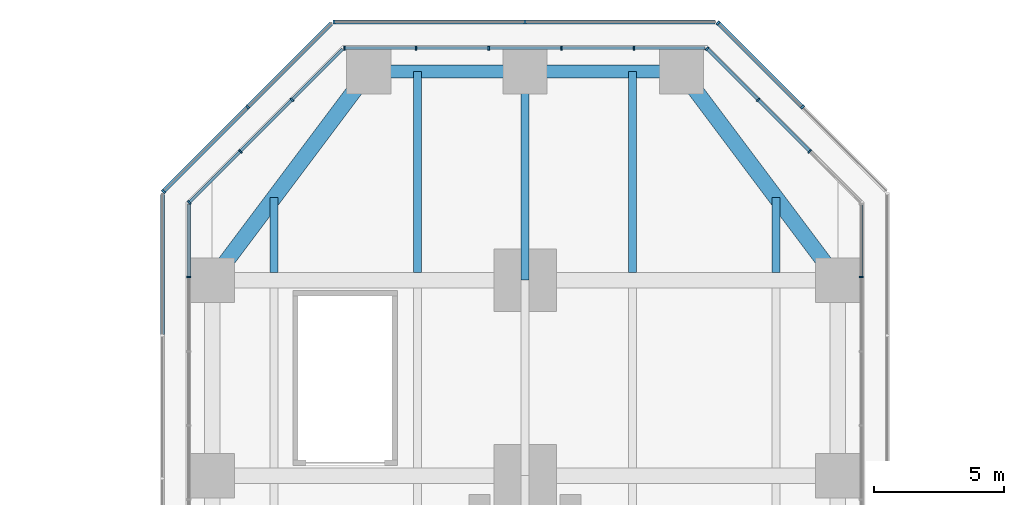
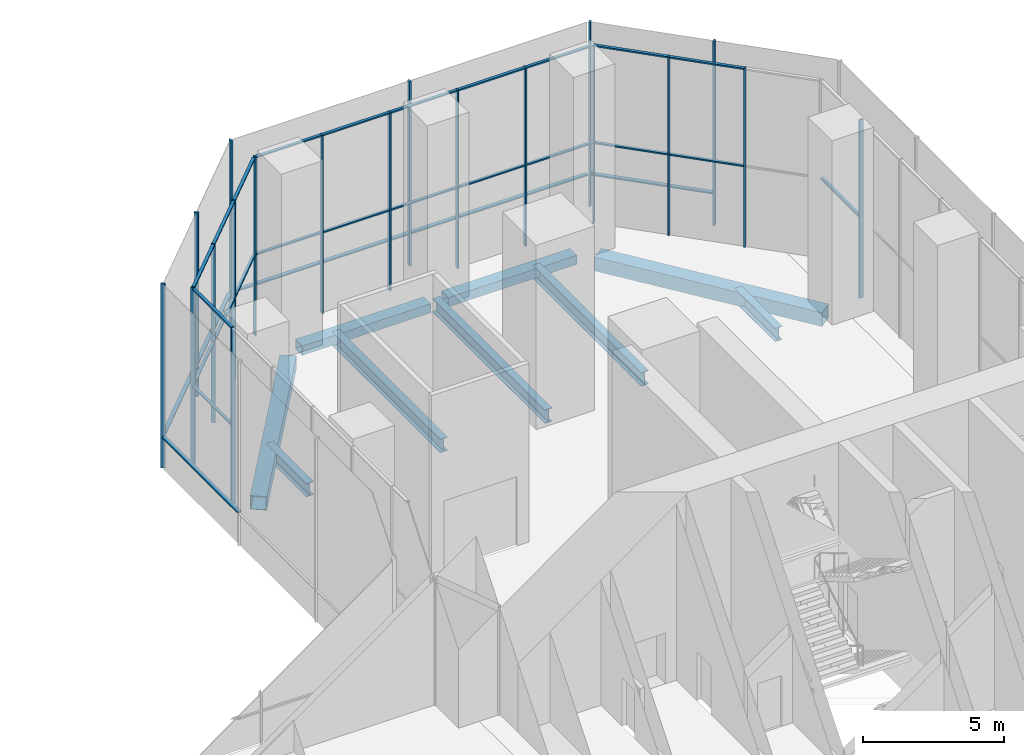
# One storey, part 12 of 25: 48 members, 9 beams, 9 elements without a shape of their own.
"""IFC4 building model written with IfcOpenShell, lengths in metres."""

from ifc_helpers import new_model, si_unit, direction, frame, origin, origin_2d, place, context, subcontext, project, spatial, rectangle, hollow_rectangle, i_section, extrude, material, material_profile, profile_set, type_object, element, aggregate, save


model = new_model("IFC4")

# Units and contexts
model_context = context("Model", 3, precision=1e-05, world=origin(), true_north=direction((0.0, 1.0)))
body_context = subcontext(model_context, "Body", "Model", "MODEL_VIEW")
ifc_project = project(units=[si_unit("LENGTHUNIT", "METRE"), si_unit("AREAUNIT", "SQUARE_METRE"), si_unit("VOLUMEUNIT", "CUBIC_METRE"), si_unit("PLANEANGLEUNIT", "RADIAN"), si_unit("MASSUNIT", "GRAM", prefix="KILO")], contexts=[model_context])

# Site, building, storey
site_placement = place(None, origin())
site = spatial("IfcSite", under=ifc_project, at=site_placement, CompositionType="ELEMENT")
building_placement = place(site_placement, origin())
building = spatial("IfcBuilding", under=site, at=building_placement, Name="Mizan Broadcast Tower", CompositionType="ELEMENT")
storey_placement = place(building_placement, frame((0.0, 0.0, 7.0)))
storey = spatial("IfcBuildingStorey", under=building, at=storey_placement, Name="L01", CompositionType="ELEMENT", Elevation=7.0)

# Beams
ifc_material_1 = material(Name="Steel S355", Category="steel")
ifc_material_profile_1 = material_profile(ifc_material_1, hollow_rectangle(XDim=0.5, YDim=0.39990234375, WallThickness=0.02490234375, at=origin_2d()), Name="BOX 400x500x25")
ifc_profile_set_1 = profile_set([ifc_material_profile_1], Name="Steel S355")
beam_type_1 = type_object("IfcBeamType", Name="EDGE BEAM BOX 400x500x25", PredefinedType="SPANDREL", material=ifc_profile_set_1)
for number, where, z_axis, x_axis, name in (
    (1, (5.639892578125, 35.0, -0.449951171875), (-1.0, 0.0, 0.0), (0.0, -1.0, 0.0), "Edge beam BOX 400x500x25 L01 north arm"),
    (2, (-5.639892578125, 35.0, -0.449951171875), (1.0, 0.0, 0.0), (0.0, 1.0, 0.0), "Edge beam BOX 400x500x25 L01 north arm"),
):
    element("IfcBeam", number, at=place(storey_placement, frame(where, z_axis=z_axis, x_axis=x_axis)), inside=storey, type_object=beam_type_1, Name=name, PredefinedType="SPANDREL", context=body_context, shape_type="SweptSolid", body=[
        extrude(hollow_rectangle(XDim=0.5, YDim=0.39990234375, WallThickness=0.02490234375, at=origin_2d()), origin(), (0.0, 0.0, 1.0), 5.27978515625),
    ])
ifc_material_2 = material(Name="Steel S355", Category="steel")
ifc_material_profile_2 = material_profile(ifc_material_2, hollow_rectangle(XDim=0.60009765625, YDim=0.60009765625, WallThickness=0.030029296875, at=origin_2d()), Name="BOX 600x600x30")
ifc_profile_set_2 = profile_set([ifc_material_profile_2], Name="Steel S355")
beam_type_2 = type_object("IfcBeamType", Name="EDGE BEAM BOX 600x600x30", PredefinedType="SPANDREL", material=ifc_profile_set_2)
for number, where, z_axis, x_axis, name in (
    (3, (11.639892578125, 27.47998046875, -0.550048828125), (-0.599982243973, 0.800013316712, 0.0), (-0.800013316712, -0.599982243973, 0.0), "Edge beam BOX 600x600x30 L01 north arm"),
    (4, (-11.639892578125, 27.47998046875, -0.550048828125), (0.599982243973, 0.800013316712, 0.0), (-0.800013316712, 0.599982243973, 0.0), "Edge beam BOX 600x600x30 L01 north arm"),
):
    element("IfcBeam", number, at=place(storey_placement, frame(where, z_axis=z_axis, x_axis=x_axis)), inside=storey, type_object=beam_type_2, Name=name, PredefinedType="SPANDREL", context=body_context, shape_type="SweptSolid", body=[
        extrude(hollow_rectangle(XDim=0.60009765625, YDim=0.60009765625, WallThickness=0.030029296875, at=origin_2d()), origin(), (0.0, 0.0, 1.0), 8.7998046875),
    ])

# Curtain wall, member
ifc_material_3 = material(Name="Aluminium framed glazing", Category="aluminium")
curtain_wall_type_1 = type_object("IfcCurtainWallType", Name="PODIUM CURTAIN WALL", PredefinedType="USERDEFINED", material=ifc_material_3)
curtain_wall_1_placement = place(storey_placement, origin())
curtain_wall_1 = element("IfcCurtainWall", 5, at=curtain_wall_1_placement, inside=storey, type_object=curtain_wall_type_1, Name="Podium curtain wall L01 N side", ObjectType="PODIUM CURTAIN WALL", PredefinedType="USERDEFINED")
ifc_material_4 = material(Name="Aluminium, pale anodised", Category="aluminium")
ifc_material_profile_3 = material_profile(ifc_material_4, rectangle(XDim=0.159912109375, YDim=0.06005859375, at=origin_2d()), Name="MULLION 160x60")
ifc_profile_set_3 = profile_set([ifc_material_profile_3], Name="Aluminium, pale anodised")
member_type_1 = type_object("IfcMemberType", Name="INNER SKIN MULLION 60x160", PredefinedType="MULLION", material=ifc_profile_set_3)
member_1_placement = place(storey_placement, frame((12.89990234375, 27.115478515625, 0.0), z_axis=(0.0, 0.0, 1.0), x_axis=(-1.0, 0.0, 0.0)))
member_1 = element("IfcMember", 6, at=member_1_placement, type_object=member_type_1, Name="Podium curtain wall L01 N side mullion 6", PredefinedType="MULLION", context=body_context, shape_type="SweptSolid", body=[
    extrude(rectangle(XDim=0.159912109375, YDim=0.06005859375, at=origin_2d()), origin(), (0.0, 0.0, 1.0), 7.75),
])

# Curtain wall, members
curtain_wall_2_placement = place(storey_placement, origin())
curtain_wall_2 = element("IfcCurtainWall", 7, at=curtain_wall_2_placement, inside=storey, type_object=curtain_wall_type_1, Name="Podium curtain wall L01 N chamfer", ObjectType="PODIUM CURTAIN WALL", PredefinedType="USERDEFINED")
member_2_placement = place(storey_placement, frame((10.91943359375, 31.93896484375, 0.0), z_axis=(0.0, 0.0, 1.0), x_axis=(-0.707106781187, -0.707106781187, 0.0)))
member_2 = element("IfcMember", 8, at=member_2_placement, type_object=member_type_1, Name="Podium curtain wall L01 N chamfer mullion 2", PredefinedType="MULLION", context=body_context, shape_type="SweptSolid", body=[
    extrude(rectangle(XDim=0.159912109375, YDim=0.06005859375, at=origin_2d()), origin(), (0.0, 0.0, 1.0), 7.75),
])
member_3_placement = place(storey_placement, frame((8.93896484375, 33.91943359375, 0.0), z_axis=(0.0, 0.0, 1.0), x_axis=(-0.707106781187, -0.707106781187, 0.0)))
member_3 = element("IfcMember", 9, at=member_3_placement, type_object=member_type_1, Name="Podium curtain wall L01 N chamfer mullion 3", PredefinedType="MULLION", context=body_context, shape_type="SweptSolid", body=[
    extrude(rectangle(XDim=0.159912109375, YDim=0.06005859375, at=origin_2d()), origin(), (0.0, 0.0, 1.0), 7.75),
])
member_4_placement = place(storey_placement, frame((6.979736328125, 35.87890625, 0.0), z_axis=(0.0, 0.0, 1.0), x_axis=(-0.707106781187, -0.707106781187, 0.0)))
member_4 = element("IfcMember", 10, at=member_4_placement, type_object=member_type_1, Name="Podium curtain wall L01 N chamfer mullion 4", PredefinedType="MULLION", context=body_context, shape_type="SweptSolid", body=[
    extrude(rectangle(XDim=0.159912109375, YDim=0.06005859375, at=origin_2d()), origin(), (0.0, 0.0, 1.0), 7.75),
])

curtain_wall_3_placement = place(storey_placement, origin())
curtain_wall_3 = element("IfcCurtainWall", 11, at=curtain_wall_3_placement, inside=storey, type_object=curtain_wall_type_1, Name="Podium curtain wall L01 N end", ObjectType="PODIUM CURTAIN WALL", PredefinedType="USERDEFINED")
member_5_placement = place(storey_placement, frame((4.175048828125, 35.89990234375, 0.0), z_axis=(0.0, 0.0, 1.0), x_axis=(0.0, -1.0, 0.0)))
member_5 = element("IfcMember", 12, at=member_5_placement, type_object=member_type_1, Name="Podium curtain wall L01 N end mullion 2", PredefinedType="MULLION", context=body_context, shape_type="SweptSolid", body=[
    extrude(rectangle(XDim=0.159912109375, YDim=0.06005859375, at=origin_2d()), origin(), (0.0, 0.0, 1.0), 7.75),
])
member_6_placement = place(storey_placement, frame((1.3916015625, 35.89990234375, 0.0), z_axis=(0.0, 0.0, 1.0), x_axis=(0.0, -1.0, 0.0)))
member_6 = element("IfcMember", 13, at=member_6_placement, type_object=member_type_1, Name="Podium curtain wall L01 N end mullion 3", PredefinedType="MULLION", context=body_context, shape_type="SweptSolid", body=[
    extrude(rectangle(XDim=0.159912109375, YDim=0.06005859375, at=origin_2d()), origin(), (0.0, 0.0, 1.0), 7.75),
])
member_7_placement = place(storey_placement, frame((-1.3916015625, 35.89990234375, 0.0), z_axis=(0.0, 0.0, 1.0), x_axis=(0.0, -1.0, 0.0)))
member_7 = element("IfcMember", 14, at=member_7_placement, type_object=member_type_1, Name="Podium curtain wall L01 N end mullion 4", PredefinedType="MULLION", context=body_context, shape_type="SweptSolid", body=[
    extrude(rectangle(XDim=0.159912109375, YDim=0.06005859375, at=origin_2d()), origin(), (0.0, 0.0, 1.0), 7.75),
])
member_8_placement = place(storey_placement, frame((-4.175048828125, 35.89990234375, 0.0), z_axis=(0.0, 0.0, 1.0), x_axis=(0.0, -1.0, 0.0)))
member_8 = element("IfcMember", 15, at=member_8_placement, type_object=member_type_1, Name="Podium curtain wall L01 N end mullion 5", PredefinedType="MULLION", context=body_context, shape_type="SweptSolid", body=[
    extrude(rectangle(XDim=0.159912109375, YDim=0.06005859375, at=origin_2d()), origin(), (0.0, 0.0, 1.0), 7.75),
])
member_9_placement = place(storey_placement, frame((-6.928466796875, 35.89990234375, 0.0), z_axis=(0.0, 0.0, 1.0), x_axis=(0.0, -1.0, 0.0)))
member_9 = element("IfcMember", 16, at=member_9_placement, type_object=member_type_1, Name="Podium curtain wall L01 N end mullion 6", PredefinedType="MULLION", context=body_context, shape_type="SweptSolid", body=[
    extrude(rectangle(XDim=0.159912109375, YDim=0.06005859375, at=origin_2d()), origin(), (0.0, 0.0, 1.0), 7.75),
])

curtain_wall_4_placement = place(storey_placement, origin())
curtain_wall_4 = element("IfcCurtainWall", 17, at=curtain_wall_4_placement, inside=storey, type_object=curtain_wall_type_1, Name="Podium curtain wall L01 N chamfer", ObjectType="PODIUM CURTAIN WALL", PredefinedType="USERDEFINED")
member_10_placement = place(storey_placement, frame((-8.93896484375, 33.91943359375, 0.0), z_axis=(0.0, 0.0, 1.0), x_axis=(0.707106781187, -0.707106781187, 0.0)))
member_10 = element("IfcMember", 18, at=member_10_placement, type_object=member_type_1, Name="Podium curtain wall L01 N chamfer mullion 2", PredefinedType="MULLION", context=body_context, shape_type="SweptSolid", body=[
    extrude(rectangle(XDim=0.159912109375, YDim=0.06005859375, at=origin_2d()), origin(), (0.0, 0.0, 1.0), 7.75),
])
member_11_placement = place(storey_placement, frame((-10.91943359375, 31.93896484375, 0.0), z_axis=(0.0, 0.0, 1.0), x_axis=(0.707106781187, -0.707106781187, 0.0)))
member_11 = element("IfcMember", 19, at=member_11_placement, type_object=member_type_1, Name="Podium curtain wall L01 N chamfer mullion 3", PredefinedType="MULLION", context=body_context, shape_type="SweptSolid", body=[
    extrude(rectangle(XDim=0.159912109375, YDim=0.06005859375, at=origin_2d()), origin(), (0.0, 0.0, 1.0), 7.75),
])
member_12_placement = place(storey_placement, frame((-12.87890625, 29.979736328125, 0.0), z_axis=(0.0, 0.0, 1.0), x_axis=(0.707106781187, -0.707106781187, 0.0)))
member_12 = element("IfcMember", 20, at=member_12_placement, type_object=member_type_1, Name="Podium curtain wall L01 N chamfer mullion 4", PredefinedType="MULLION", context=body_context, shape_type="SweptSolid", body=[
    extrude(rectangle(XDim=0.159912109375, YDim=0.06005859375, at=origin_2d()), origin(), (0.0, 0.0, 1.0), 7.75),
])

# Curtain wall, member
curtain_wall_5_placement = place(storey_placement, origin())
curtain_wall_5 = element("IfcCurtainWall", 21, at=curtain_wall_5_placement, inside=storey, type_object=curtain_wall_type_1, Name="Podium curtain wall L01 N side", ObjectType="PODIUM CURTAIN WALL", PredefinedType="USERDEFINED")
member_13_placement = place(storey_placement, frame((-12.89990234375, 27.115478515625, 0.0), z_axis=(0.0, 0.0, 1.0), x_axis=(1.0, 0.0, 0.0)))
member_13 = element("IfcMember", 22, at=member_13_placement, type_object=member_type_1, Name="Podium curtain wall L01 N side mullion 2", PredefinedType="MULLION", context=body_context, shape_type="SweptSolid", body=[
    extrude(rectangle(XDim=0.159912109375, YDim=0.06005859375, at=origin_2d()), origin(), (0.0, 0.0, 1.0), 7.75),
])

# Member
ifc_material_5 = material(Name="Aluminium, pale anodised", Category="aluminium")
ifc_material_profile_4 = material_profile(ifc_material_5, rectangle(XDim=0.1201171875, YDim=0.06005859375, at=origin_2d()), Name="TRANSOM 120x60")
ifc_profile_set_4 = profile_set([ifc_material_profile_4], Name="Aluminium, pale anodised")
member_type_2 = type_object("IfcMemberType", Name="INNER SKIN TRANSOM 60x120", PredefinedType="USERDEFINED", material=ifc_profile_set_4)
member_14_placement = place(storey_placement, frame((12.89990234375, 27.1455078125, 3.5), z_axis=(0.0, 1.0, 0.0), x_axis=(-1.0, 0.0, 0.0)))
member_14 = element("IfcMember", 23, at=member_14_placement, type_object=member_type_2, Name="Podium curtain wall L01 N side transom 6.1", ObjectType="TRANSOM", PredefinedType="USERDEFINED", context=body_context, shape_type="SweptSolid", body=[
    extrude(rectangle(XDim=0.1201171875, YDim=0.06005859375, at=origin_2d()), origin(), (0.0, 0.0, 1.0), 2.753173828125),
])

aggregate(curtain_wall_1, [member_1, member_14])

member_15_placement = place(storey_placement, frame((10.898193359375, 31.960205078125, 3.5), z_axis=(-0.707106781187, 0.707106781187, 0.0), x_axis=(-0.707106781187, -0.707106781187, 0.0)))
member_15 = element("IfcMember", 24, at=member_15_placement, type_object=member_type_2, Name="Podium curtain wall L01 N chamfer transom 2.1", ObjectType="TRANSOM", PredefinedType="USERDEFINED", context=body_context, shape_type="SweptSolid", body=[
    extrude(rectangle(XDim=0.1201171875, YDim=0.06005859375, at=origin_2d()), origin(), (0.0, 0.0, 1.0), 2.74072265625),
])

member_16_placement = place(storey_placement, frame((10.898193359375, 31.960205078125, 7.719970703125), z_axis=(-0.707106781187, 0.707106781187, 0.0), x_axis=(-0.707106781187, -0.707106781187, 0.0)))
member_16 = element("IfcMember", 25, at=member_16_placement, type_object=member_type_2, Name="Podium curtain wall L01 N chamfer transom 2.2", ObjectType="TRANSOM", PredefinedType="USERDEFINED", context=body_context, shape_type="SweptSolid", body=[
    extrude(rectangle(XDim=0.1201171875, YDim=0.06005859375, at=origin_2d()), origin(), (0.0, 0.0, 1.0), 2.74072265625),
])

member_17_placement = place(storey_placement, frame((8.917724609375, 33.940673828125, 3.5), z_axis=(-0.707061749709, 0.707151809797, 0.0), x_axis=(-0.707151809797, -0.707061749709, 0.0)))
member_17 = element("IfcMember", 26, at=member_17_placement, type_object=member_type_2, Name="Podium curtain wall L01 N chamfer transom 3.1", ObjectType="TRANSOM", PredefinedType="USERDEFINED", context=body_context, shape_type="SweptSolid", body=[
    extrude(rectangle(XDim=0.1201171875, YDim=0.06005859375, at=origin_2d()), origin(), (0.0, 0.0, 1.0), 2.7109375),
])

member_18_placement = place(storey_placement, frame((8.917724609375, 33.940673828125, 7.719970703125), z_axis=(-0.707061749709, 0.707151809797, 0.0), x_axis=(-0.707151809797, -0.707061749709, 0.0)))
member_18 = element("IfcMember", 27, at=member_18_placement, type_object=member_type_2, Name="Podium curtain wall L01 N chamfer transom 3.2", ObjectType="TRANSOM", PredefinedType="USERDEFINED", context=body_context, shape_type="SweptSolid", body=[
    extrude(rectangle(XDim=0.1201171875, YDim=0.06005859375, at=origin_2d()), origin(), (0.0, 0.0, 1.0), 2.7109375),
])

aggregate(curtain_wall_2, [member_2, member_3, member_4, member_15, member_16, member_17, member_18])

member_19_placement = place(storey_placement, frame((6.898681640625, 35.89990234375, 3.5), z_axis=(-1.0, 0.0, 0.0), x_axis=(0.0, -1.0, 0.0)))
member_19 = element("IfcMember", 28, at=member_19_placement, type_object=member_type_2, Name="Podium curtain wall L01 N end transom 1.1", ObjectType="TRANSOM", PredefinedType="USERDEFINED", context=body_context, shape_type="SweptSolid", body=[
    extrude(rectangle(XDim=0.1201171875, YDim=0.06005859375, at=origin_2d()), origin(), (0.0, 0.0, 1.0), 2.693603515625),
])

member_20_placement = place(storey_placement, frame((6.898681640625, 35.89990234375, 7.719970703125), z_axis=(-1.0, 0.0, 0.0), x_axis=(0.0, -1.0, 0.0)))
member_20 = element("IfcMember", 29, at=member_20_placement, type_object=member_type_2, Name="Podium curtain wall L01 N end transom 1.2", ObjectType="TRANSOM", PredefinedType="USERDEFINED", context=body_context, shape_type="SweptSolid", body=[
    extrude(rectangle(XDim=0.1201171875, YDim=0.06005859375, at=origin_2d()), origin(), (0.0, 0.0, 1.0), 2.693603515625),
])

member_21_placement = place(storey_placement, frame((4.145263671875, 35.89990234375, 3.5), z_axis=(-1.0, 0.0, 0.0), x_axis=(0.0, -1.0, 0.0)))
member_21 = element("IfcMember", 30, at=member_21_placement, type_object=member_type_2, Name="Podium curtain wall L01 N end transom 2.1", ObjectType="TRANSOM", PredefinedType="USERDEFINED", context=body_context, shape_type="SweptSolid", body=[
    extrude(rectangle(XDim=0.1201171875, YDim=0.06005859375, at=origin_2d()), origin(), (0.0, 0.0, 1.0), 2.7236328125),
])

member_22_placement = place(storey_placement, frame((4.145263671875, 35.89990234375, 7.719970703125), z_axis=(-1.0, 0.0, 0.0), x_axis=(0.0, -1.0, 0.0)))
member_22 = element("IfcMember", 31, at=member_22_placement, type_object=member_type_2, Name="Podium curtain wall L01 N end transom 2.2", ObjectType="TRANSOM", PredefinedType="USERDEFINED", context=body_context, shape_type="SweptSolid", body=[
    extrude(rectangle(XDim=0.1201171875, YDim=0.06005859375, at=origin_2d()), origin(), (0.0, 0.0, 1.0), 2.7236328125),
])

member_23_placement = place(storey_placement, frame((1.36181640625, 35.89990234375, 3.5), z_axis=(-1.0, 0.0, 0.0), x_axis=(0.0, -1.0, 0.0)))
member_23 = element("IfcMember", 32, at=member_23_placement, type_object=member_type_2, Name="Podium curtain wall L01 N end transom 3.1", ObjectType="TRANSOM", PredefinedType="USERDEFINED", context=body_context, shape_type="SweptSolid", body=[
    extrude(rectangle(XDim=0.1201171875, YDim=0.06005859375, at=origin_2d()), origin(), (0.0, 0.0, 1.0), 2.7236328125),
])

member_24_placement = place(storey_placement, frame((1.36181640625, 35.89990234375, 7.719970703125), z_axis=(-1.0, 0.0, 0.0), x_axis=(0.0, -1.0, 0.0)))
member_24 = element("IfcMember", 33, at=member_24_placement, type_object=member_type_2, Name="Podium curtain wall L01 N end transom 3.2", ObjectType="TRANSOM", PredefinedType="USERDEFINED", context=body_context, shape_type="SweptSolid", body=[
    extrude(rectangle(XDim=0.1201171875, YDim=0.06005859375, at=origin_2d()), origin(), (0.0, 0.0, 1.0), 2.7236328125),
])

member_25_placement = place(storey_placement, frame((-1.421630859375, 35.89990234375, 3.5), z_axis=(-1.0, 0.0, 0.0), x_axis=(0.0, -1.0, 0.0)))
member_25 = element("IfcMember", 34, at=member_25_placement, type_object=member_type_2, Name="Podium curtain wall L01 N end transom 4.1", ObjectType="TRANSOM", PredefinedType="USERDEFINED", context=body_context, shape_type="SweptSolid", body=[
    extrude(rectangle(XDim=0.1201171875, YDim=0.06005859375, at=origin_2d()), origin(), (0.0, 0.0, 1.0), 2.7236328125),
])

member_26_placement = place(storey_placement, frame((-1.421630859375, 35.89990234375, 7.719970703125), z_axis=(-1.0, 0.0, 0.0), x_axis=(0.0, -1.0, 0.0)))
member_26 = element("IfcMember", 35, at=member_26_placement, type_object=member_type_2, Name="Podium curtain wall L01 N end transom 4.2", ObjectType="TRANSOM", PredefinedType="USERDEFINED", context=body_context, shape_type="SweptSolid", body=[
    extrude(rectangle(XDim=0.1201171875, YDim=0.06005859375, at=origin_2d()), origin(), (0.0, 0.0, 1.0), 2.7236328125),
])

member_27_placement = place(storey_placement, frame((-4.205078125, 35.89990234375, 3.5), z_axis=(-1.0, 0.0, 0.0), x_axis=(0.0, -1.0, 0.0)))
member_27 = element("IfcMember", 36, at=member_27_placement, type_object=member_type_2, Name="Podium curtain wall L01 N end transom 5.1", ObjectType="TRANSOM", PredefinedType="USERDEFINED", context=body_context, shape_type="SweptSolid", body=[
    extrude(rectangle(XDim=0.1201171875, YDim=0.06005859375, at=origin_2d()), origin(), (0.0, 0.0, 1.0), 2.693603515625),
])

member_28_placement = place(storey_placement, frame((-4.205078125, 35.89990234375, 7.719970703125), z_axis=(-1.0, 0.0, 0.0), x_axis=(0.0, -1.0, 0.0)))
member_28 = element("IfcMember", 37, at=member_28_placement, type_object=member_type_2, Name="Podium curtain wall L01 N end transom 5.2", ObjectType="TRANSOM", PredefinedType="USERDEFINED", context=body_context, shape_type="SweptSolid", body=[
    extrude(rectangle(XDim=0.1201171875, YDim=0.06005859375, at=origin_2d()), origin(), (0.0, 0.0, 1.0), 2.693603515625),
])

aggregate(curtain_wall_3, [member_5, member_6, member_7, member_8, member_9, member_19, member_20, member_21, member_22, member_23, member_24, member_25, member_26, member_27, member_28])

member_29_placement = place(storey_placement, frame((-7.0009765625, 35.857666015625, 3.5), z_axis=(-0.707061749709, -0.707151809797, 0.0), x_axis=(0.707151809797, -0.707061749709, 0.0)))
member_29 = element("IfcMember", 38, at=member_29_placement, type_object=member_type_2, Name="Podium curtain wall L01 N chamfer transom 1.1", ObjectType="TRANSOM", PredefinedType="USERDEFINED", context=body_context, shape_type="SweptSolid", body=[
    extrude(rectangle(XDim=0.1201171875, YDim=0.06005859375, at=origin_2d()), origin(), (0.0, 0.0, 1.0), 2.7109375),
])

member_30_placement = place(storey_placement, frame((-7.0009765625, 35.857666015625, 7.719970703125), z_axis=(-0.707061749709, -0.707151809797, 0.0), x_axis=(0.707151809797, -0.707061749709, 0.0)))
member_30 = element("IfcMember", 39, at=member_30_placement, type_object=member_type_2, Name="Podium curtain wall L01 N chamfer transom 1.2", ObjectType="TRANSOM", PredefinedType="USERDEFINED", context=body_context, shape_type="SweptSolid", body=[
    extrude(rectangle(XDim=0.1201171875, YDim=0.06005859375, at=origin_2d()), origin(), (0.0, 0.0, 1.0), 2.7109375),
])

member_31_placement = place(storey_placement, frame((-8.960205078125, 33.898193359375, 3.5), z_axis=(-0.707106781187, -0.707106781187, 0.0), x_axis=(0.707106781187, -0.707106781187, 0.0)))
member_31 = element("IfcMember", 40, at=member_31_placement, type_object=member_type_2, Name="Podium curtain wall L01 N chamfer transom 2.1", ObjectType="TRANSOM", PredefinedType="USERDEFINED", context=body_context, shape_type="SweptSolid", body=[
    extrude(rectangle(XDim=0.1201171875, YDim=0.06005859375, at=origin_2d()), origin(), (0.0, 0.0, 1.0), 2.74072265625),
])

member_32_placement = place(storey_placement, frame((-8.960205078125, 33.898193359375, 7.719970703125), z_axis=(-0.707106781187, -0.707106781187, 0.0), x_axis=(0.707106781187, -0.707106781187, 0.0)))
member_32 = element("IfcMember", 41, at=member_32_placement, type_object=member_type_2, Name="Podium curtain wall L01 N chamfer transom 2.2", ObjectType="TRANSOM", PredefinedType="USERDEFINED", context=body_context, shape_type="SweptSolid", body=[
    extrude(rectangle(XDim=0.1201171875, YDim=0.06005859375, at=origin_2d()), origin(), (0.0, 0.0, 1.0), 2.74072265625),
])

member_33_placement = place(storey_placement, frame((-10.940673828125, 31.917724609375, 3.5), z_axis=(-0.707151809797, -0.707061749709, 0.0), x_axis=(0.707061749709, -0.707151809797, 0.0)))
member_33 = element("IfcMember", 42, at=member_33_placement, type_object=member_type_2, Name="Podium curtain wall L01 N chamfer transom 3.1", ObjectType="TRANSOM", PredefinedType="USERDEFINED", context=body_context, shape_type="SweptSolid", body=[
    extrude(rectangle(XDim=0.1201171875, YDim=0.06005859375, at=origin_2d()), origin(), (0.0, 0.0, 1.0), 2.7109375),
])

member_34_placement = place(storey_placement, frame((-10.940673828125, 31.917724609375, 7.719970703125), z_axis=(-0.707151809797, -0.707061749709, 0.0), x_axis=(0.707061749709, -0.707151809797, 0.0)))
member_34 = element("IfcMember", 43, at=member_34_placement, type_object=member_type_2, Name="Podium curtain wall L01 N chamfer transom 3.2", ObjectType="TRANSOM", PredefinedType="USERDEFINED", context=body_context, shape_type="SweptSolid", body=[
    extrude(rectangle(XDim=0.1201171875, YDim=0.06005859375, at=origin_2d()), origin(), (0.0, 0.0, 1.0), 2.7109375),
])

aggregate(curtain_wall_4, [member_10, member_11, member_12, member_29, member_30, member_31, member_32, member_33, member_34])

member_35_placement = place(storey_placement, frame((-12.89990234375, 29.898681640625, 3.5), z_axis=(0.0, -1.0, 0.0), x_axis=(1.0, 0.0, 0.0)))
member_35 = element("IfcMember", 44, at=member_35_placement, type_object=member_type_2, Name="Podium curtain wall L01 N side transom 1.1", ObjectType="TRANSOM", PredefinedType="USERDEFINED", context=body_context, shape_type="SweptSolid", body=[
    extrude(rectangle(XDim=0.1201171875, YDim=0.06005859375, at=origin_2d()), origin(), (0.0, 0.0, 1.0), 2.753173828125),
])

member_36_placement = place(storey_placement, frame((-12.89990234375, 29.898681640625, 7.719970703125), z_axis=(0.0, -1.0, 0.0), x_axis=(1.0, 0.0, 0.0)))
member_36 = element("IfcMember", 45, at=member_36_placement, type_object=member_type_2, Name="Podium curtain wall L01 N side transom 1.2", ObjectType="TRANSOM", PredefinedType="USERDEFINED", context=body_context, shape_type="SweptSolid", body=[
    extrude(rectangle(XDim=0.1201171875, YDim=0.06005859375, at=origin_2d()), origin(), (0.0, 0.0, 1.0), 2.753173828125),
])

aggregate(curtain_wall_5, [member_13, member_35, member_36])

# Curtain wall, members
ifc_material_6 = material(Name="Aluminium framed glazing", Category="aluminium")
curtain_wall_type_2 = type_object("IfcCurtainWallType", Name="OUTER SKIN", PredefinedType="USERDEFINED", material=ifc_material_6)
curtain_wall_6_placement = place(storey_placement, origin())
curtain_wall_6 = element("IfcCurtainWall", 46, at=curtain_wall_6_placement, inside=storey, type_object=curtain_wall_type_2, Name="Outer skin L01 N chamfer", ObjectType="OUTER SKIN", PredefinedType="USERDEFINED")
ifc_material_7 = material(Name="Aluminium, pale anodised", Category="aluminium")
ifc_material_profile_5 = material_profile(ifc_material_7, rectangle(XDim=0.159912109375, YDim=0.080078125, at=origin_2d()), Name="MULLION 160x80")
ifc_profile_set_5 = profile_set([ifc_material_profile_5], Name="Aluminium, pale anodised")
member_type_3 = type_object("IfcMemberType", Name="OUTER SKIN MULLION 80x160", PredefinedType="MULLION", material=ifc_profile_set_5)
member_37_placement = place(storey_placement, frame((10.636474609375, 33.636474609375, 0.0), z_axis=(0.0, 0.0, 1.0), x_axis=(-0.707106781187, -0.707106781187, 0.0)))
member_37 = element("IfcMember", 47, at=member_37_placement, type_object=member_type_3, Name="Outer skin L01 N chamfer mullion 2", PredefinedType="MULLION", context=body_context, shape_type="SweptSolid", body=[
    extrude(rectangle(XDim=0.159912109375, YDim=0.080078125, at=origin_2d()), origin(), (0.0, 0.0, 1.0), 8.0),
])
member_38_placement = place(storey_placement, frame((7.401123046875, 36.871826171875, 0.0), z_axis=(0.0, 0.0, 1.0), x_axis=(-0.707106781187, -0.707106781187, 0.0)))
member_38 = element("IfcMember", 48, at=member_38_placement, type_object=member_type_3, Name="Outer skin L01 N chamfer mullion 3", PredefinedType="MULLION", context=body_context, shape_type="SweptSolid", body=[
    extrude(rectangle(XDim=0.159912109375, YDim=0.080078125, at=origin_2d()), origin(), (0.0, 0.0, 1.0), 8.0),
])

curtain_wall_7_placement = place(storey_placement, origin())
curtain_wall_7 = element("IfcCurtainWall", 49, at=curtain_wall_7_placement, inside=storey, type_object=curtain_wall_type_2, Name="Outer skin L01 N end", ObjectType="OUTER SKIN", PredefinedType="USERDEFINED")
member_39_placement = place(storey_placement, frame((0.0, 36.89990234375, 0.0), z_axis=(0.0, 0.0, 1.0), x_axis=(0.0, -1.0, 0.0)))
member_39 = element("IfcMember", 50, at=member_39_placement, type_object=member_type_3, Name="Outer skin L01 N end mullion 2", PredefinedType="MULLION", context=body_context, shape_type="SweptSolid", body=[
    extrude(rectangle(XDim=0.159912109375, YDim=0.080078125, at=origin_2d()), origin(), (0.0, 0.0, 1.0), 8.0),
])
member_40_placement = place(storey_placement, frame((-7.332763671875, 36.89990234375, 0.0), z_axis=(0.0, 0.0, 1.0), x_axis=(0.0, -1.0, 0.0)))
member_40 = element("IfcMember", 51, at=member_40_placement, type_object=member_type_3, Name="Outer skin L01 N end mullion 3", PredefinedType="MULLION", context=body_context, shape_type="SweptSolid", body=[
    extrude(rectangle(XDim=0.159912109375, YDim=0.080078125, at=origin_2d()), origin(), (0.0, 0.0, 1.0), 8.0),
])

curtain_wall_8_placement = place(storey_placement, origin())
curtain_wall_8 = element("IfcCurtainWall", 52, at=curtain_wall_8_placement, inside=storey, type_object=curtain_wall_type_2, Name="Outer skin L01 N chamfer", ObjectType="OUTER SKIN", PredefinedType="USERDEFINED")
member_41_placement = place(storey_placement, frame((-10.636474609375, 33.636474609375, 0.0), z_axis=(0.0, 0.0, 1.0), x_axis=(0.707106781187, -0.707106781187, 0.0)))
member_41 = element("IfcMember", 53, at=member_41_placement, type_object=member_type_3, Name="Outer skin L01 N chamfer mullion 2", PredefinedType="MULLION", context=body_context, shape_type="SweptSolid", body=[
    extrude(rectangle(XDim=0.159912109375, YDim=0.080078125, at=origin_2d()), origin(), (0.0, 0.0, 1.0), 8.0),
])
member_42_placement = place(storey_placement, frame((-13.871826171875, 30.401123046875, 0.0), z_axis=(0.0, 0.0, 1.0), x_axis=(0.707106781187, -0.707106781187, 0.0)))
member_42 = element("IfcMember", 54, at=member_42_placement, type_object=member_type_3, Name="Outer skin L01 N chamfer mullion 3", PredefinedType="MULLION", context=body_context, shape_type="SweptSolid", body=[
    extrude(rectangle(XDim=0.159912109375, YDim=0.080078125, at=origin_2d()), origin(), (0.0, 0.0, 1.0), 8.0),
])

# Member
ifc_material_8 = material(Name="Aluminium, pale anodised", Category="aluminium")
ifc_material_profile_6 = material_profile(ifc_material_8, rectangle(XDim=0.159912109375, YDim=0.06005859375, at=origin_2d()), Name="TRANSOM 160x60")
ifc_profile_set_6 = profile_set([ifc_material_profile_6], Name="Aluminium, pale anodised")
member_type_4 = type_object("IfcMemberType", Name="OUTER SKIN TRANSOM 60x160", PredefinedType="USERDEFINED", material=ifc_profile_set_6)
member_43_placement = place(storey_placement, frame((10.608154296875, 33.664794921875, 1.39990234375), z_axis=(-0.707106781187, 0.707106781187, 0.0), x_axis=(-0.707106781187, -0.707106781187, 0.0)))
member_43 = element("IfcMember", 55, at=member_43_placement, type_object=member_type_4, Name="Outer skin L01 N chamfer transom 2.1", ObjectType="TRANSOM", PredefinedType="USERDEFINED", context=body_context, shape_type="SweptSolid", body=[
    extrude(rectangle(XDim=0.159912109375, YDim=0.06005859375, at=origin_2d()), origin(), (0.0, 0.0, 1.0), 4.495361328125),
])

aggregate(curtain_wall_6, [member_37, member_38, member_43])

member_44_placement = place(storey_placement, frame((7.292724609375, 36.89990234375, 1.39990234375), z_axis=(-1.0, 0.0, 0.0), x_axis=(0.0, -1.0, 0.0)))
member_44 = element("IfcMember", 56, at=member_44_placement, type_object=member_type_4, Name="Outer skin L01 N end transom 1.1", ObjectType="TRANSOM", PredefinedType="USERDEFINED", context=body_context, shape_type="SweptSolid", body=[
    extrude(rectangle(XDim=0.159912109375, YDim=0.06005859375, at=origin_2d()), origin(), (0.0, 0.0, 1.0), 7.252685546875),
])

member_45_placement = place(storey_placement, frame((-0.0400390625, 36.89990234375, 1.39990234375), z_axis=(-1.0, 0.0, 0.0), x_axis=(0.0, -1.0, 0.0)))
member_45 = element("IfcMember", 57, at=member_45_placement, type_object=member_type_4, Name="Outer skin L01 N end transom 2.1", ObjectType="TRANSOM", PredefinedType="USERDEFINED", context=body_context, shape_type="SweptSolid", body=[
    extrude(rectangle(XDim=0.159912109375, YDim=0.06005859375, at=origin_2d()), origin(), (0.0, 0.0, 1.0), 7.252685546875),
])

aggregate(curtain_wall_7, [member_39, member_40, member_44, member_45])

member_46_placement = place(storey_placement, frame((-7.429443359375, 36.843505859375, 1.39990234375), z_axis=(-0.707106781187, -0.707106781187, 0.0), x_axis=(0.707106781187, -0.707106781187, 0.0)))
member_46 = element("IfcMember", 58, at=member_46_placement, type_object=member_type_4, Name="Outer skin L01 N chamfer transom 1.1", ObjectType="TRANSOM", PredefinedType="USERDEFINED", context=body_context, shape_type="SweptSolid", body=[
    extrude(rectangle(XDim=0.159912109375, YDim=0.06005859375, at=origin_2d()), origin(), (0.0, 0.0, 1.0), 4.495361328125),
])

member_47_placement = place(storey_placement, frame((-10.664794921875, 33.608154296875, 1.39990234375), z_axis=(-0.707106781187, -0.707106781187, 0.0), x_axis=(0.707106781187, -0.707106781187, 0.0)))
member_47 = element("IfcMember", 59, at=member_47_placement, type_object=member_type_4, Name="Outer skin L01 N chamfer transom 2.1", ObjectType="TRANSOM", PredefinedType="USERDEFINED", context=body_context, shape_type="SweptSolid", body=[
    extrude(rectangle(XDim=0.159912109375, YDim=0.06005859375, at=origin_2d()), origin(), (0.0, 0.0, 1.0), 4.495361328125),
])

aggregate(curtain_wall_8, [member_41, member_42, member_46, member_47])

# Curtain wall, member
curtain_wall_9_placement = place(storey_placement, origin())
curtain_wall_9 = element("IfcCurtainWall", 60, at=curtain_wall_9_placement, inside=storey, type_object=curtain_wall_type_2, Name="Outer skin L01 N side", ObjectType="OUTER SKIN", PredefinedType="USERDEFINED")
member_48_placement = place(storey_placement, frame((-13.89990234375, 30.292724609375, 1.39990234375), z_axis=(0.0, -1.0, 0.0), x_axis=(1.0, 0.0, 0.0)))
member_48 = element("IfcMember", 61, at=member_48_placement, type_object=member_type_4, Name="Outer skin L01 N side transom 1.1", ObjectType="TRANSOM", PredefinedType="USERDEFINED", context=body_context, shape_type="SweptSolid", body=[
    extrude(rectangle(XDim=0.159912109375, YDim=0.06005859375, at=origin_2d()), origin(), (0.0, 0.0, 1.0), 5.370849609375),
])
aggregate(curtain_wall_9, [member_48])

# Beams
ifc_material_9 = material(Name="Steel S355", Category="steel")
ifc_material_profile_7 = material_profile(ifc_material_9, i_section(OverallWidth=0.300048828125, OverallDepth=0.590087890625, WebThickness=0.012939453125, FlangeThickness=0.02490234375, FilletRadius=0.027099609375, at=origin_2d()), Name="HEA 600")
ifc_profile_set_7 = profile_set([ifc_material_profile_7], Name="Steel S355")
beam_type_3 = type_object("IfcBeamType", Name="SECONDARY BEAM HEA 600", PredefinedType="JOIST", material=ifc_profile_set_7)
beam_1_placement = place(storey_placement, frame((9.625, 27.300048828125, -0.544921875), z_axis=(0.0, 1.0, 0.0), x_axis=(-1.0, 0.0, 0.0)))
element("IfcBeam", 62, at=beam_1_placement, inside=storey, type_object=beam_type_3, Name="Secondary beam HEA 600 L01 north arm", PredefinedType="JOIST", context=body_context, shape_type="SweptSolid", body=[
    extrude(i_section(OverallWidth=0.300048828125, OverallDepth=0.590087890625, WebThickness=0.012939453125, FlangeThickness=0.02490234375, FilletRadius=0.027099609375, at=origin_2d()), origin(), (0.0, 0.0, 1.0), 2.86669921875),
])
beam_2_placement = place(storey_placement, frame((4.125, 27.300048828125, -0.544921875), z_axis=(0.0, 1.0, 0.0), x_axis=(-1.0, 0.0, 0.0)))
element("IfcBeam", 63, at=beam_2_placement, inside=storey, type_object=beam_type_3, Name="Secondary beam HEA 600 L01 north arm", PredefinedType="JOIST", context=body_context, shape_type="SweptSolid", body=[
    extrude(i_section(OverallWidth=0.300048828125, OverallDepth=0.590087890625, WebThickness=0.012939453125, FlangeThickness=0.02490234375, FilletRadius=0.027099609375, at=origin_2d()), origin(), (0.0, 0.0, 1.0), 7.699951171875),
])
beam_3_placement = place(storey_placement, frame((0.0, 27.0, -0.544921875), z_axis=(0.0, 1.0, 0.0), x_axis=(-1.0, 0.0, 0.0)))
element("IfcBeam", 64, at=beam_3_placement, inside=storey, type_object=beam_type_3, Name="Secondary beam HEA 600 L01 north arm", PredefinedType="JOIST", context=body_context, shape_type="SweptSolid", body=[
    extrude(i_section(OverallWidth=0.300048828125, OverallDepth=0.590087890625, WebThickness=0.012939453125, FlangeThickness=0.02490234375, FilletRadius=0.027099609375, at=origin_2d()), origin(), (0.0, 0.0, 1.0), 8.0),
])
beam_4_placement = place(storey_placement, frame((-4.125, 27.300048828125, -0.544921875), z_axis=(0.0, 1.0, 0.0), x_axis=(-1.0, 0.0, 0.0)))
element("IfcBeam", 65, at=beam_4_placement, inside=storey, type_object=beam_type_3, Name="Secondary beam HEA 600 L01 north arm", PredefinedType="JOIST", context=body_context, shape_type="SweptSolid", body=[
    extrude(i_section(OverallWidth=0.300048828125, OverallDepth=0.590087890625, WebThickness=0.012939453125, FlangeThickness=0.02490234375, FilletRadius=0.027099609375, at=origin_2d()), origin(), (0.0, 0.0, 1.0), 7.699951171875),
])
beam_5_placement = place(storey_placement, frame((-9.625, 27.300048828125, -0.544921875), z_axis=(0.0, 1.0, 0.0), x_axis=(-1.0, 0.0, 0.0)))
element("IfcBeam", 66, at=beam_5_placement, inside=storey, type_object=beam_type_3, Name="Secondary beam HEA 600 L01 north arm", PredefinedType="JOIST", context=body_context, shape_type="SweptSolid", body=[
    extrude(i_section(OverallWidth=0.300048828125, OverallDepth=0.590087890625, WebThickness=0.012939453125, FlangeThickness=0.02490234375, FilletRadius=0.027099609375, at=origin_2d()), origin(), (0.0, 0.0, 1.0), 2.86669921875),
])

save(model, "model.ifc")
